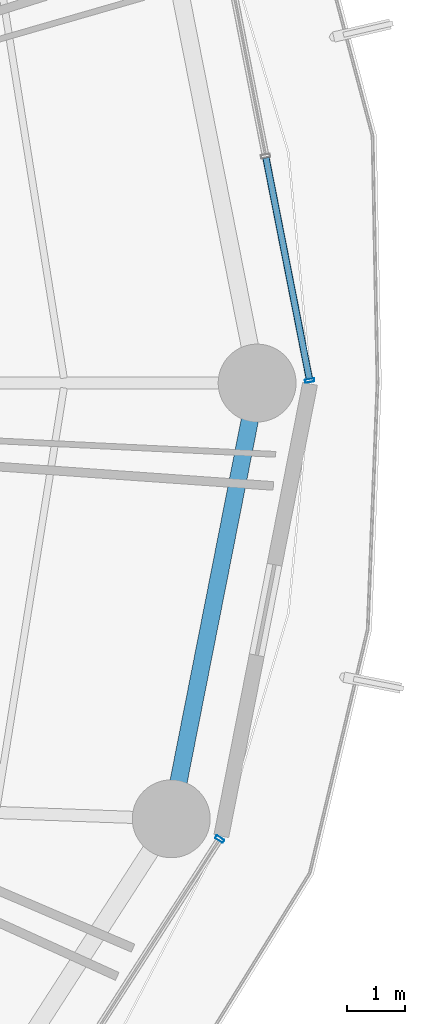
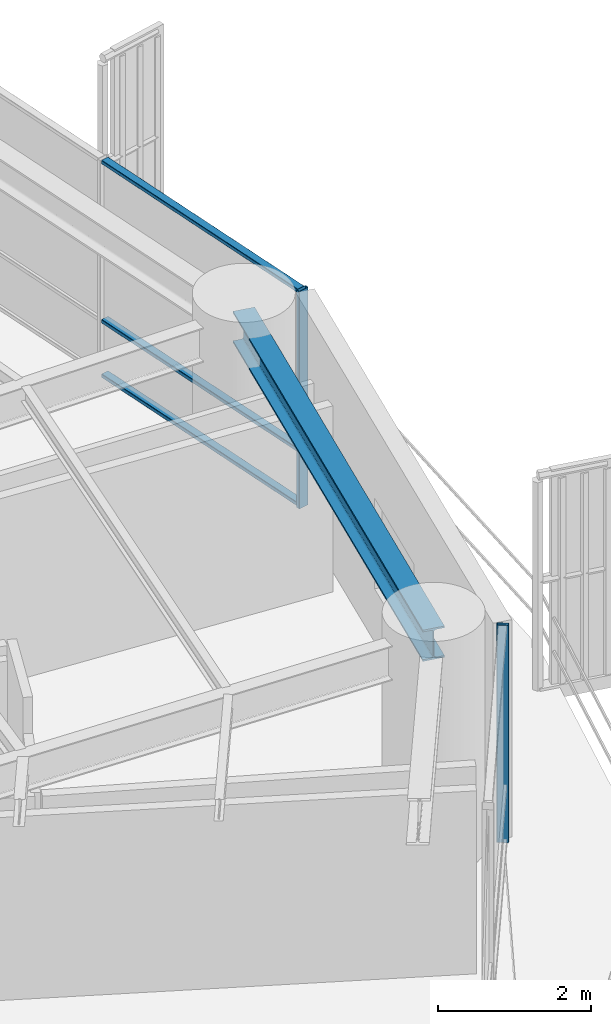
# One storey, part 16 of 37: 5 members, 1 beam, 2 elements without a shape of their own.
"""IFC4 building model written with IfcOpenShell, lengths in metres."""

from ifc_helpers import new_model, si_unit, direction, frame, origin, origin_2d, place, context, subcontext, project, spatial, hollow_rectangle, i_section, extrude, material, layer, layer_set, material_profile, profile_set, type_object, element, aggregate, save


model = new_model("IFC4")

# Units and contexts
model_context = context("Model", 3, precision=1e-05, world=origin(), true_north=direction((0.0, 1.0)))
body_context = subcontext(model_context, "Body", "Model", "MODEL_VIEW")
ifc_project = project(units=[si_unit("LENGTHUNIT", "METRE"), si_unit("AREAUNIT", "SQUARE_METRE"), si_unit("VOLUMEUNIT", "CUBIC_METRE"), si_unit("PLANEANGLEUNIT", "RADIAN"), si_unit("MASSUNIT", "GRAM", prefix="KILO")], contexts=[model_context])

# Site, building, storey
site_placement = place(None, origin())
site = spatial("IfcSite", under=ifc_project, at=site_placement, CompositionType="ELEMENT")
building_placement = place(site_placement, origin())
building = spatial("IfcBuilding", under=site, at=building_placement, Name="Kelanora Arch Commons", CompositionType="ELEMENT")
storey_placement = place(building_placement, frame((0.0, 0.0, 110.10009765625)))
storey = spatial("IfcBuildingStorey", under=building, at=storey_placement, Name="L28", CompositionType="ELEMENT", Elevation=110.10009765625)

# Beam
ifc_material_1 = material(Name="Steel S355", Category="steel")
ifc_material_profile_1 = material_profile(ifc_material_1, i_section(OverallWidth=0.300048828125, OverallDepth=0.5, WebThickness=0.014404296875, FlangeThickness=0.028076171875, FilletRadius=0.027099609375, at=origin_2d()), Name="HEB500")
ifc_profile_set_1 = profile_set([ifc_material_profile_1], Name="Steel S355")
beam_type = type_object("IfcBeamType", Name="BM-SPN-Z2", PredefinedType="SPANDREL", material=ifc_profile_set_1)
beam_placement = place(storey_placement, frame((97.191650390625, 50.4482421875, 3.239990234375), z_axis=(0.19335825777, 0.981128220037, 0.0), x_axis=(-0.981128220037, 0.19335825777, 0.0)))
element("IfcBeam", 1, at=beam_placement, inside=storey, type_object=beam_type, Name="Perimeter Spandrel Beam BS-34 L28", PredefinedType="SPANDREL", context=body_context, shape_type="SweptSolid", body=[
    extrude(i_section(OverallWidth=0.300048828125, OverallDepth=0.5, WebThickness=0.014404296875, FlangeThickness=0.028076171875, FilletRadius=0.027099609375, at=origin_2d()), origin(), (0.0, 0.0, 1.0), 7.697021484375),
])

# Curtain wall, member
ifc_material_2 = material(Name="Terracotta ceramic-fritted low-E glass and aluminium", Category="masonry")
ifc_layer = layer(ifc_material_2, 0.159912109375)
ifc_layer_set = layer_set([ifc_layer], Name="Terracotta ceramic-fritted low-E glass and aluminium")
curtain_wall_type = type_object("IfcCurtainWallType", Name="CW-SYS-01", PredefinedType="NOTDEFINED", material=ifc_layer_set)
curtain_wall_1_placement = place(storey_placement, origin())
curtain_wall_1 = element("IfcCurtainWall", 2, at=curtain_wall_1_placement, inside=storey, type_object=curtain_wall_type, Name="Unitised Curtain Wall L28-B00", PredefinedType="NOTDEFINED")
ifc_material_3 = material(Name="Powder-coated aluminium terracotta", Category="masonry")
ifc_material_profile_2 = material_profile(ifc_material_3, hollow_rectangle(XDim=0.159912109375, YDim=0.06005859375, WallThickness=0.0048828125, InnerFilletRadius=0.0048828125, OuterFilletRadius=0.010009765625, at=origin_2d()), Name="CWM160x60")
ifc_profile_set_2 = profile_set([ifc_material_profile_2], Name="Powder-coated aluminium terracotta")
member_type_1 = type_object("IfcMemberType", Name="CWM-STD", PredefinedType="MULLION", material=ifc_profile_set_2)
member_1_placement = place(storey_placement, frame((99.59130859375, 58.044189453125, 0.0), z_axis=(0.0, 0.0, 1.0), x_axis=(-0.981280311646, -0.192584916272, 0.0)))
member_1 = element("IfcMember", 3, at=member_1_placement, type_object=member_type_1, Name="CW-01 mullion 1", PredefinedType="MULLION", context=body_context, shape_type="SweptSolid", body=[
    extrude(hollow_rectangle(XDim=0.159912109375, YDim=0.06005859375, WallThickness=0.0048828125, InnerFilletRadius=0.0048828125, OuterFilletRadius=0.010009765625, at=origin_2d()), origin(), (0.0, 0.0, 1.0), 3.474853515625),
])

curtain_wall_2_placement = place(storey_placement, origin())
curtain_wall_2 = element("IfcCurtainWall", 4, at=curtain_wall_2_placement, inside=storey, type_object=curtain_wall_type, Name="Unitised Curtain Wall L28-B16", PredefinedType="NOTDEFINED")
member_2_placement = place(storey_placement, frame((98.03173828125, 50.095703125, 0.0), z_axis=(0.0, 0.0, 1.0), x_axis=(-0.841268883088, 0.540616931244, 0.0)))
member_2 = element("IfcMember", 5, at=member_2_placement, type_object=member_type_1, Name="CW-01 mullion 3", PredefinedType="MULLION", context=body_context, shape_type="SweptSolid", body=[
    extrude(hollow_rectangle(XDim=0.159912109375, YDim=0.06005859375, WallThickness=0.0048828125, InnerFilletRadius=0.0048828125, OuterFilletRadius=0.010009765625, at=origin_2d()), origin(), (0.0, 0.0, 1.0), 3.474853515625),
])
aggregate(curtain_wall_2, [member_2])

# Member
ifc_material_profile_3 = material_profile(ifc_material_3, hollow_rectangle(XDim=0.1201171875, YDim=0.06005859375, WallThickness=0.0048828125, InnerFilletRadius=0.0048828125, OuterFilletRadius=0.010009765625, at=origin_2d()), Name="CWT120x60")
ifc_profile_set_3 = profile_set([ifc_material_profile_3], Name="Powder-coated aluminium terracotta")
member_type_2 = type_object("IfcMemberType", Name="CWT-STD", PredefinedType="USERDEFINED", material=ifc_profile_set_3)
member_3_placement = place(storey_placement, frame((99.58544921875, 58.073486328125, 0.02978515625), z_axis=(-0.192578614785, 0.981281548348, 0.0), x_axis=(-0.981281548348, -0.192578614785, 0.0)))
member_3 = element("IfcMember", 6, at=member_3_placement, type_object=member_type_2, Name="CW-01 transom 1.1", ObjectType="TRANSOM", PredefinedType="USERDEFINED", context=body_context, shape_type="SweptSolid", body=[
    extrude(hollow_rectangle(XDim=0.1201171875, YDim=0.06005859375, WallThickness=0.0048828125, InnerFilletRadius=0.0048828125, OuterFilletRadius=0.010009765625, at=origin_2d()), origin(), (0.0, 0.0, 1.0), 3.9033203125),
])

member_4_placement = place(storey_placement, frame((99.58544921875, 58.073486328125, 0.89990234375), z_axis=(-0.192578614785, 0.981281548348, 0.0), x_axis=(-0.981281548348, -0.192578614785, 0.0)))
member_4 = element("IfcMember", 7, at=member_4_placement, type_object=member_type_2, Name="CW-01 transom 1.2", ObjectType="TRANSOM", PredefinedType="USERDEFINED", context=body_context, shape_type="SweptSolid", body=[
    extrude(hollow_rectangle(XDim=0.1201171875, YDim=0.06005859375, WallThickness=0.0048828125, InnerFilletRadius=0.0048828125, OuterFilletRadius=0.010009765625, at=origin_2d()), origin(), (0.0, 0.0, 1.0), 3.9033203125),
])

member_5_placement = place(storey_placement, frame((99.58544921875, 58.073486328125, 3.44482421875), z_axis=(-0.192578614785, 0.981281548348, 0.0), x_axis=(-0.981281548348, -0.192578614785, 0.0)))
member_5 = element("IfcMember", 8, at=member_5_placement, type_object=member_type_2, Name="CW-01 transom 1.3", ObjectType="TRANSOM", PredefinedType="USERDEFINED", context=body_context, shape_type="SweptSolid", body=[
    extrude(hollow_rectangle(XDim=0.1201171875, YDim=0.06005859375, WallThickness=0.0048828125, InnerFilletRadius=0.0048828125, OuterFilletRadius=0.010009765625, at=origin_2d()), origin(), (0.0, 0.0, 1.0), 3.9033203125),
])

aggregate(curtain_wall_1, [member_1, member_3, member_4, member_5])

save(model, "model.ifc")
